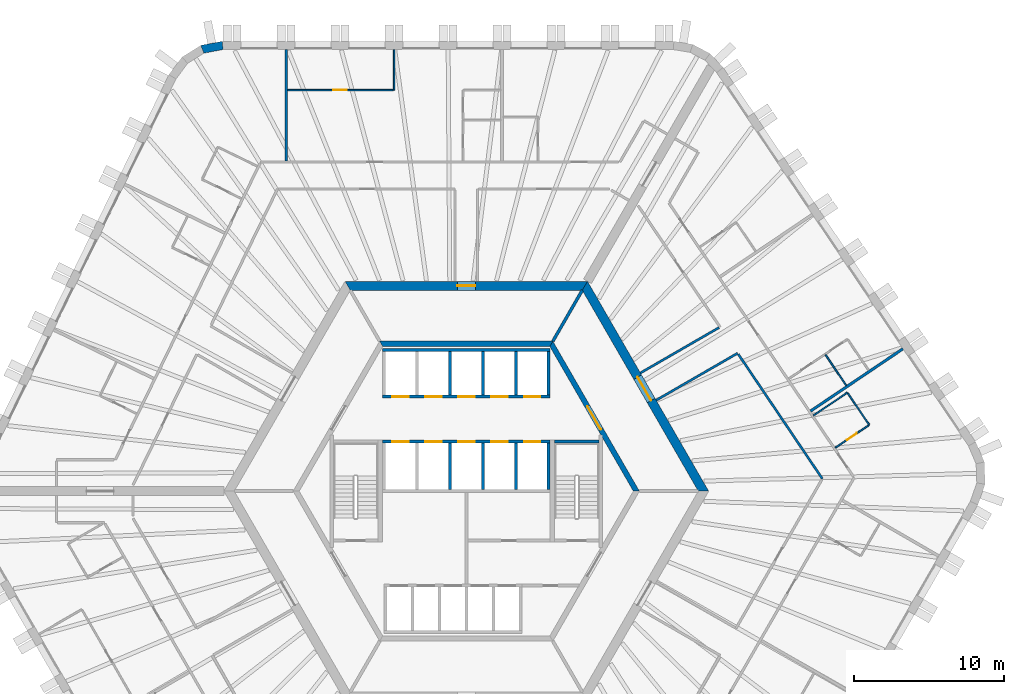
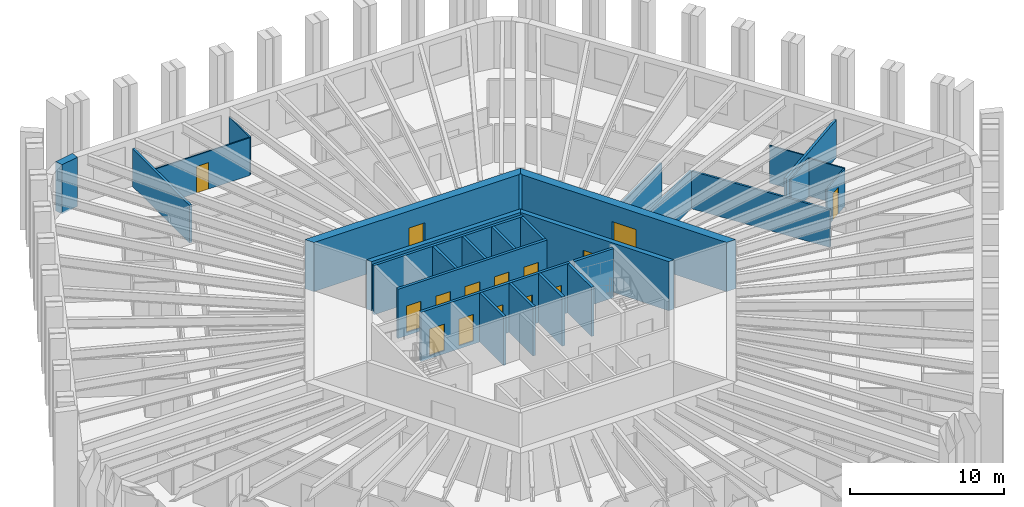
# One storey, part 8 of 12: 29 walls, 15 doors, 15 openings.
"""IFC4 building model written with IfcOpenShell, lengths in metres."""

from ifc_helpers import new_model, si_unit, direction, frame, frame_2d, origin, place, context, subcontext, project, spatial, polyline, rectangle, outline, extrude, material, layer, layer_set, type_object, element, fill, save


model = new_model("IFC4")

# Units and contexts
model_context = context("Model", 3, precision=1e-05, world=origin(), true_north=direction((0.0, 1.0)))
body_context = subcontext(model_context, "Body", "Model", "MODEL_VIEW")
ifc_project = project(units=[si_unit("LENGTHUNIT", "METRE"), si_unit("AREAUNIT", "SQUARE_METRE"), si_unit("VOLUMEUNIT", "CUBIC_METRE"), si_unit("PLANEANGLEUNIT", "RADIAN"), si_unit("MASSUNIT", "GRAM", prefix="KILO")], contexts=[model_context])

# Site, building, storey
site_placement = place(None, origin())
site = spatial("IfcSite", under=ifc_project, at=site_placement, CompositionType="ELEMENT")
building_placement = place(site_placement, origin())
building = spatial("IfcBuilding", under=site, at=building_placement, Name="Tarnside Tower", CompositionType="ELEMENT")
storey_placement = place(building_placement, frame((0.0, 0.0, 60.89990234375)))
storey = spatial("IfcBuildingStorey", under=building, at=storey_placement, Name="L12", CompositionType="ELEMENT", Elevation=60.89990234375)

# Walls
ifc_material_1 = material(Name="Gypsum board partition on steel studs", Category="steel")
ifc_layer_1 = layer(ifc_material_1, 0.10009765625)
ifc_layer_set_1 = layer_set([ifc_layer_1], Name="Bathroom wall 100")
wall_type_1 = type_object("IfcWallType", Name="Bathroom wall 100", PredefinedType="PARTITIONING", material=ifc_layer_set_1)
wall_1_placement = place(storey_placement, frame((23.15869140625, 5.052978515625, 0.0), z_axis=(0.0, 0.0, 1.0), x_axis=(0.829047014003, 0.559178905694, 0.0)))
element("IfcWall", 1, at=wall_1_placement, inside=storey, type_object=wall_type_1, Name="Bathroom wall 03138", PredefinedType="PARTITIONING", context=body_context, shape_type="SweptSolid", body=[
    extrude(rectangle(XDim=2.724853515625, YDim=0.10009765625, at=frame_2d((1.3623046875, 0.0))), origin(), (0.0, 0.0, 1.0), 2.98779296875),
])
wall_2_placement = place(storey_placement, frame((25.44580078125, 6.535400390625, 0.0), z_axis=(0.0, 0.0, 1.0), x_axis=(0.559176864802, -0.829048390548, 0.0)))
element("IfcWall", 2, at=wall_2_placement, inside=storey, type_object=wall_type_1, Name="Bathroom wall 03139", PredefinedType="PARTITIONING", context=body_context, shape_type="SweptSolid", body=[
    extrude(rectangle(XDim=2.55029296875, YDim=0.10009765625, at=frame_2d((1.275146484375, 0.0))), origin(), (0.0, 0.0, 1.0), 2.98779296875),
])

# Wall, opening, door
wall_3_placement = place(storey_placement, frame((26.830322265625, 4.393310546875, 0.0), z_axis=(0.0, 0.0, 1.0), x_axis=(-0.82904753069, -0.559178139645, 0.0)))
wall_3 = element("IfcWall", 3, at=wall_3_placement, inside=storey, type_object=wall_type_1, Name="Bathroom wall 03140", PredefinedType="PARTITIONING", context=body_context, shape_type="SweptSolid", body=[
    extrude(rectangle(XDim=2.675048828125, YDim=0.10009765625, at=frame_2d((1.33740234375, 0.0))), origin(), (0.0, 0.0, 1.0), 2.98779296875),
])
opening_1_placement = place(wall_3_placement, frame((0.949951171875, 0.0, 0.0)))
opening_1 = element("IfcOpeningElement", 4, at=opening_1_placement, cuts=wall_3, Name="Opening D-B1", PredefinedType="OPENING", context=body_context, shape_type="SweptSolid", body=[
    extrude(rectangle(XDim=0.800048828125, YDim=2.10009765625, at=frame_2d((0.39990234375, 1.050048828125))), frame((0.0, 0.06005859375, 0.0), z_axis=(0.0, -1.0, 0.0), x_axis=(1.0, 0.0, 0.0)), (0.0, 0.0, 1.0), 0.1201171875),
])
ifc_material_2 = material(Name="Timber door leaf", Category="wood")
door_type_1 = type_object("IfcDoorType", Name="Bathroom door 800", OperationType="NOTDEFINED", PredefinedType="DOOR", material=ifc_material_2)
door_1_placement = place(opening_1_placement, origin())
door_1 = element("IfcDoor", 5, at=door_1_placement, inside=storey, type_object=door_type_1, Name="Bathroom door 03033", OperationType="SINGLE_SWING_LEFT", OverallHeight=2.10009765625, OverallWidth=0.800048828125, PredefinedType="DOOR", context=body_context, shape_type="SweptSolid", body=[
    extrude(rectangle(XDim=0.800048828125, YDim=2.10009765625, at=frame_2d((0.39990234375, 1.050048828125))), frame((0.0, 0.02490234375, 0.0), z_axis=(0.0, -1.0, 0.0), x_axis=(1.0, 0.0, 0.0)), (0.0, 0.0, 1.0), 0.050048828125),
])
fill(opening_1, door_1)

# Wall
wall_4_placement = place(storey_placement, frame((25.337646484375, 7.053466796875, 0.0), z_axis=(0.0, 0.0, 1.0), x_axis=(-0.559249542518, 0.82899936622, 0.0)))
element("IfcWall", 6, at=wall_4_placement, inside=storey, type_object=wall_type_1, Name="Bathroom wall 03149", PredefinedType="PARTITIONING", context=body_context, shape_type="SweptSolid", body=[
    extrude(rectangle(XDim=2.4599609375, YDim=0.10009765625, at=frame_2d((1.22998046875, 0.0))), origin(), (0.0, 0.0, 1.0), 2.98779296875),
])

# Wall, opening, door
ifc_material_3 = material(Name="Concrete C50/60", Category="concrete")
ifc_layer_2 = layer(ifc_material_3, 0.35009765625)
ifc_layer_set_2 = layer_set([ifc_layer_2], Name="Core block wall 350 C50/60")
wall_type_2 = type_object("IfcWallType", Name="Core block wall 350 C50/60", PredefinedType="SHEAR", material=ifc_layer_set_2)
wall_5_placement = place(storey_placement, frame((11.344970703125, 0.0, -0.14990234375), z_axis=(0.0, 0.0, 1.0), x_axis=(-0.499995046907, 0.866028263435, 0.0)))
wall_5 = element("IfcWall", 7, at=wall_5_placement, inside=storey, type_object=wall_type_2, Name="L12 core block wall face 6", PredefinedType="SHEAR", context=body_context, shape_type="SweptSolid", body=[
    extrude(outline(polyline([(-0.10107421875, -0.175048828125), (11.44580078125, -0.175048828125), (11.24365234375, 0.175048828125), (0.10107421875, 0.175048828125), (-0.10107421875, -0.175048828125)])), origin(), (0.0, 0.0, 1.0), 3.89990234375),
])
opening_2_placement = place(wall_5_placement, frame((4.74365234375, 0.0, 0.14990234375)))
opening_2 = element("IfcOpeningElement", 8, at=opening_2_placement, cuts=wall_5, Name="Opening CD-LOB", PredefinedType="OPENING", context=body_context, shape_type="SweptSolid", body=[
    extrude(rectangle(XDim=1.800048828125, YDim=2.39990234375, at=frame_2d((0.89990234375, 1.199951171875))), frame((0.0, 0.18505859375, 0.0), z_axis=(0.0, -1.0, 0.0), x_axis=(1.0, 0.0, 0.0)), (0.0, 0.0, 1.0), 0.3701171875),
])
ifc_material_4 = material(Name="Steel fire door", Category="steel")
door_type_2 = type_object("IfcDoorType", Name="Lobby double door FD30S 1800x2400", OperationType="NOTDEFINED", PredefinedType="DOOR", material=ifc_material_4)
door_2_placement = place(opening_2_placement, origin())
door_2 = element("IfcDoor", 9, at=door_2_placement, inside=storey, type_object=door_type_2, Name="L12 lobby block door P2", OperationType="DOUBLE_DOOR_SINGLE_SWING", OverallHeight=2.39990234375, OverallWidth=1.800048828125, PredefinedType="DOOR", context=body_context, shape_type="SweptSolid", body=[
    extrude(rectangle(XDim=1.800048828125, YDim=2.39990234375, at=frame_2d((0.89990234375, 1.199951171875))), frame((0.0, 0.02490234375, 0.0), z_axis=(0.0, -1.0, 0.0), x_axis=(1.0, 0.0, 0.0)), (0.0, 0.0, 1.0), 0.050048828125),
])
fill(opening_2, door_2)

# Wall
wall_6_placement = place(storey_placement, frame((5.672607421875, 9.824951171875, -0.14990234375), z_axis=(0.0, 0.0, 1.0), x_axis=(-1.0, 0.0, 0.0)))
element("IfcWall", 10, at=wall_6_placement, inside=storey, type_object=wall_type_2, Name="L12 core block wall face 1", PredefinedType="SHEAR", context=body_context, shape_type="SweptSolid", body=[
    extrude(outline(polyline([(-0.10107421875, -0.175048828125), (11.4462890625, -0.175048828125), (11.244140625, 0.175048828125), (0.10107421875, 0.175048828125), (-0.10107421875, -0.175048828125)])), origin(), (0.0, 0.0, 1.0), 3.89990234375),
])

# Wall, opening, door
ifc_material_5 = material(Name="Concrete C80/95", Category="concrete")
ifc_layer_3 = layer(ifc_material_5, 0.60009765625)
ifc_layer_set_3 = layer_set([ifc_layer_3], Name="Core wall Z1 600 C80/95")
wall_type_3 = type_object("IfcWallType", Name="Core wall Z1 600 C80/95", PredefinedType="SHEAR", material=ifc_layer_set_3)
wall_7_placement = place(storey_placement, frame((15.8193359375, 0.0, -0.14990234375), z_axis=(0.0, 0.0, 1.0), x_axis=(-0.499999880136, 0.866025472988, 0.0)))
wall_7 = element("IfcWall", 11, at=wall_7_placement, inside=storey, type_object=wall_type_3, Name="L12 core wall face 6", PredefinedType="SHEAR", context=body_context, shape_type="SweptSolid", body=[
    extrude(outline(polyline([(-0.17333984375, -0.300048828125), (15.99267578125, -0.300048828125), (15.64599609375, 0.300048828125), (0.17333984375, 0.300048828125), (-0.17333984375, -0.300048828125)])), origin(), (0.0, 0.0, 1.0), 3.89990234375),
])
opening_3_placement = place(wall_7_placement, frame((6.980712890625, 0.0, 0.14990234375)))
opening_3 = element("IfcOpeningElement", 12, at=opening_3_placement, cuts=wall_7, Name="Opening CD-LOB", PredefinedType="OPENING", context=body_context, shape_type="SweptSolid", body=[
    extrude(rectangle(XDim=1.800048828125, YDim=2.39990234375, at=frame_2d((0.89990234375, 1.199951171875))), frame((0.0, 0.31005859375, 0.0), z_axis=(0.0, -1.0, 0.0), x_axis=(1.0, 0.0, 0.0)), (0.0, 0.0, 1.0), 0.6201171875),
])
door_3_placement = place(opening_3_placement, origin())
door_3 = element("IfcDoor", 13, at=door_3_placement, inside=storey, type_object=door_type_2, Name="L12 core door P2", OperationType="DOUBLE_DOOR_SINGLE_SWING", OverallHeight=2.39990234375, OverallWidth=1.800048828125, PredefinedType="DOOR", context=body_context, shape_type="SweptSolid", body=[
    extrude(rectangle(XDim=1.800048828125, YDim=2.39990234375, at=frame_2d((0.89990234375, 1.199951171875))), frame((0.0, 0.02490234375, 0.0), z_axis=(0.0, -1.0, 0.0), x_axis=(1.0, 0.0, 0.0)), (0.0, 0.0, 1.0), 0.050048828125),
])
fill(opening_3, door_3)

wall_8_placement = place(storey_placement, frame((7.90966796875, 13.699951171875, -0.14990234375), z_axis=(0.0, 0.0, 1.0), x_axis=(-1.0, 0.0, 0.0)))
wall_8 = element("IfcWall", 14, at=wall_8_placement, inside=storey, type_object=wall_type_3, Name="L12 core wall face 1", PredefinedType="SHEAR", context=body_context, shape_type="SweptSolid", body=[
    extrude(outline(polyline([(-0.17333984375, -0.300048828125), (15.99267578125, -0.300048828125), (15.64599609375, 0.300048828125), (0.17333984375, 0.300048828125), (-0.17333984375, -0.300048828125)])), origin(), (0.0, 0.0, 1.0), 3.89990234375),
])
opening_4_placement = place(wall_8_placement, frame((7.309814453125, 0.0, 0.14990234375)))
opening_4 = element("IfcOpeningElement", 15, at=opening_4_placement, cuts=wall_8, Name="Opening CD-RSR", PredefinedType="OPENING", context=body_context, shape_type="SweptSolid", body=[
    extrude(rectangle(XDim=1.199951171875, YDim=2.39990234375, at=frame_2d((0.60009765625, 1.199951171875))), frame((0.0, 0.31005859375, 0.0), z_axis=(0.0, -1.0, 0.0), x_axis=(1.0, 0.0, 0.0)), (0.0, 0.0, 1.0), 0.6201171875),
])
door_type_3 = type_object("IfcDoorType", Name="Riser door FD60 1200x2400", OperationType="NOTDEFINED", PredefinedType="DOOR", material=ifc_material_4)
door_4_placement = place(opening_4_placement, origin())
door_4 = element("IfcDoor", 16, at=door_4_placement, inside=storey, type_object=door_type_3, Name="L12 core door S5", OperationType="SINGLE_SWING_LEFT", OverallHeight=2.39990234375, OverallWidth=1.199951171875, PredefinedType="DOOR", context=body_context, shape_type="SweptSolid", body=[
    extrude(rectangle(XDim=1.199951171875, YDim=2.39990234375, at=frame_2d((0.60009765625, 1.199951171875))), frame((0.0, 0.02490234375, 0.0), z_axis=(0.0, -1.0, 0.0), x_axis=(1.0, 0.0, 0.0)), (0.0, 0.0, 1.0), 0.050048828125),
])
fill(opening_4, door_4)

# Walls
ifc_layer_4 = layer(ifc_material_1, 0.14990234375)
ifc_layer_set_4 = layer_set([ifc_layer_4], Name="Corridor wall 150 EI 60")
wall_type_4 = type_object("IfcWallType", Name="Corridor wall 150 EI 60", PredefinedType="PARTITIONING", material=ifc_layer_set_4)
wall_9_placement = place(storey_placement, frame((12.663818359375, 6.065673828125, 0.0), z_axis=(0.0, 0.0, 1.0), x_axis=(0.866036561919, 0.499980673046, 0.0)))
element("IfcWall", 17, at=wall_9_placement, inside=storey, type_object=wall_type_4, Name="Corridor wall 03063", PredefinedType="PARTITIONING", context=body_context, shape_type="SweptSolid", body=[
    extrude(rectangle(XDim=6.274658203125, YDim=0.14990234375, at=frame_2d((3.13720703125, 0.0))), origin(), (0.0, 0.0, 1.0), 2.98779296875),
])
wall_10_placement = place(storey_placement, frame((18.139892578125, 9.140625, 0.0), z_axis=(0.0, 0.0, 1.0), x_axis=(0.55918799196, -0.829040885389, 0.0)))
element("IfcWall", 18, at=wall_10_placement, inside=storey, type_object=wall_type_4, Name="Corridor wall 03064", PredefinedType="PARTITIONING", context=body_context, shape_type="SweptSolid", body=[
    extrude(rectangle(XDim=10.025146484375, YDim=0.14990234375, at=frame_2d((5.0126953125, 0.0))), origin(), (0.0, 0.0, 1.0), 2.98779296875),
])
wall_11_placement = place(storey_placement, frame((16.85546875, 10.91064453125, 0.0), z_axis=(0.0, 0.0, 1.0), x_axis=(-0.866020343444, -0.500008764664, 0.0)))
element("IfcWall", 19, at=wall_11_placement, inside=storey, type_object=wall_type_4, Name="Corridor wall 03071", PredefinedType="PARTITIONING", context=body_context, shape_type="SweptSolid", body=[
    extrude(rectangle(XDim=6.052734375, YDim=0.14990234375, at=frame_2d((3.0263671875, 0.0))), origin(), (0.0, 0.0, 1.0), 2.98779296875),
])
ifc_layer_5 = layer(ifc_material_1, 0.179931640625)
ifc_layer_set_5 = layer_set([ifc_layer_5], Name="Demising wall 180 EI 60")
wall_type_5 = type_object("IfcWallType", Name="Demising wall 180 EI 60", PredefinedType="PARTITIONING", material=ifc_layer_set_5)
wall_12_placement = place(storey_placement, frame((-12.010986328125, 29.449951171875, 0.0), z_axis=(0.0, 0.0, 1.0), x_axis=(0.0, -1.0, 0.0)))
element("IfcWall", 20, at=wall_12_placement, inside=storey, type_object=wall_type_5, Name="Demising wall 03083", PredefinedType="PARTITIONING", context=body_context, shape_type="SweptSolid", body=[
    extrude(rectangle(XDim=7.425048828125, YDim=0.179931640625, at=frame_2d((3.71240234375, 0.0))), origin(), (0.0, 0.0, 1.0), 2.98779296875),
])
wall_13_placement = place(storey_placement, frame((29.11865234375, 9.4951171875, 0.0), z_axis=(0.0, 0.0, 1.0), x_axis=(-0.829038452737, -0.559191598545, 0.0)))
element("IfcWall", 21, at=wall_13_placement, inside=storey, type_object=wall_type_5, Name="Demising wall 03141", PredefinedType="PARTITIONING", context=body_context, shape_type="SweptSolid", body=[
    extrude(rectangle(XDim=7.42529296875, YDim=0.179931640625, at=frame_2d((3.712646484375, 0.0))), origin(), (0.0, 0.0, 1.0), 2.98779296875),
])

# Wall, openings, doors
ifc_material_6 = material(Name="Concrete C40/50", Category="concrete")
ifc_layer_6 = layer(ifc_material_6, 0.199951171875)
ifc_layer_set_6 = layer_set([ifc_layer_6], Name="Lift shaft wall 200 C40/50")
wall_type_6 = type_object("IfcWallType", Name="Lift shaft wall 200 C40/50", PredefinedType="SHEAR", material=ifc_layer_set_6)
wall_14_placement = place(storey_placement, frame((-5.60009765625, 6.300048828125, -0.25), z_axis=(0.0, 0.0, 1.0), x_axis=(1.0, 0.0, 0.0)))
wall_14 = element("IfcWall", 22, at=wall_14_placement, inside=storey, type_object=wall_type_6, Name="L12 lift shaft front wall R1", PredefinedType="SHEAR", context=body_context, shape_type="SweptSolid", body=[
    extrude(rectangle(XDim=11.2001953125, YDim=0.199951171875, at=frame_2d((5.60009765625, 0.0))), origin(), (0.0, 0.0, 1.0), 3.900146484375),
])
opening_5_placement = place(wall_14_placement, frame((0.64990234375, 0.0, 0.25)))
opening_5 = element("IfcOpeningElement", 23, at=opening_5_placement, cuts=wall_14, Name="Opening LD", PredefinedType="OPENING", context=body_context, shape_type="SweptSolid", body=[
    extrude(rectangle(XDim=1.10009765625, YDim=2.10009765625, at=frame_2d((0.550048828125, 1.050048828125))), frame((0.0, 0.10986328125, 0.0), z_axis=(0.0, -1.0, 0.0), x_axis=(1.0, 0.0, 0.0)), (0.0, 0.0, 1.0), 0.219970703125),
])
opening_6_placement = place(wall_14_placement, frame((2.85009765625, 0.0, 0.25)))
opening_6 = element("IfcOpeningElement", 24, at=opening_6_placement, cuts=wall_14, Name="Opening LD", PredefinedType="OPENING", context=body_context, shape_type="SweptSolid", body=[
    extrude(rectangle(XDim=1.10009765625, YDim=2.10009765625, at=frame_2d((0.550048828125, 1.050048828125))), frame((0.0, 0.10986328125, 0.0), z_axis=(0.0, -1.0, 0.0), x_axis=(1.0, 0.0, 0.0)), (0.0, 0.0, 1.0), 0.219970703125),
])
opening_7_placement = place(wall_14_placement, frame((5.050048828125, 0.0, 0.25)))
opening_7 = element("IfcOpeningElement", 25, at=opening_7_placement, cuts=wall_14, Name="Opening LD", PredefinedType="OPENING", context=body_context, shape_type="SweptSolid", body=[
    extrude(rectangle(XDim=1.10009765625, YDim=2.10009765625, at=frame_2d((0.550048828125, 1.050048828125))), frame((0.0, 0.10986328125, 0.0), z_axis=(0.0, -1.0, 0.0), x_axis=(1.0, 0.0, 0.0)), (0.0, 0.0, 1.0), 0.219970703125),
])
opening_8_placement = place(wall_14_placement, frame((7.25, 0.0, 0.25)))
opening_8 = element("IfcOpeningElement", 26, at=opening_8_placement, cuts=wall_14, Name="Opening LD", PredefinedType="OPENING", context=body_context, shape_type="SweptSolid", body=[
    extrude(rectangle(XDim=1.10009765625, YDim=2.10009765625, at=frame_2d((0.550048828125, 1.050048828125))), frame((0.0, 0.10986328125, 0.0), z_axis=(0.0, -1.0, 0.0), x_axis=(1.0, 0.0, 0.0)), (0.0, 0.0, 1.0), 0.219970703125),
])
opening_9_placement = place(wall_14_placement, frame((9.449951171875, 0.0, 0.25)))
opening_9 = element("IfcOpeningElement", 27, at=opening_9_placement, cuts=wall_14, Name="Opening LD", PredefinedType="OPENING", context=body_context, shape_type="SweptSolid", body=[
    extrude(rectangle(XDim=1.10009765625, YDim=2.10009765625, at=frame_2d((0.550048828125, 1.050048828125))), frame((0.0, 0.10986328125, 0.0), z_axis=(0.0, -1.0, 0.0), x_axis=(1.0, 0.0, 0.0)), (0.0, 0.0, 1.0), 0.219970703125),
])
ifc_material_7 = material(Name="Stainless steel", Category="steel")
door_type_4 = type_object("IfcDoorType", Name="Lift landing door 1100x2100", OperationType="NOTDEFINED", PredefinedType="DOOR", material=ifc_material_7)
door_5_placement = place(opening_5_placement, origin())
door_5 = element("IfcDoor", 28, at=door_5_placement, inside=storey, type_object=door_type_4, Name="Low-rise lift 1 landing door L12", OperationType="SLIDING_TO_LEFT", OverallHeight=2.10009765625, OverallWidth=1.10009765625, PredefinedType="DOOR", context=body_context, shape_type="SweptSolid", body=[
    extrude(rectangle(XDim=1.10009765625, YDim=2.10009765625, at=frame_2d((0.550048828125, 1.050048828125))), frame((0.0, 0.02490234375, 0.0), z_axis=(0.0, -1.0, 0.0), x_axis=(1.0, 0.0, 0.0)), (0.0, 0.0, 1.0), 0.050048828125),
])
fill(opening_5, door_5)
door_6_placement = place(opening_6_placement, origin())
door_6 = element("IfcDoor", 29, at=door_6_placement, inside=storey, type_object=door_type_4, Name="Low-rise lift 2 landing door L12", OperationType="SLIDING_TO_LEFT", OverallHeight=2.10009765625, OverallWidth=1.10009765625, PredefinedType="DOOR", context=body_context, shape_type="SweptSolid", body=[
    extrude(rectangle(XDim=1.10009765625, YDim=2.10009765625, at=frame_2d((0.550048828125, 1.050048828125))), frame((0.0, 0.02490234375, 0.0), z_axis=(0.0, -1.0, 0.0), x_axis=(1.0, 0.0, 0.0)), (0.0, 0.0, 1.0), 0.050048828125),
])
fill(opening_6, door_6)
door_7_placement = place(opening_7_placement, origin())
door_7 = element("IfcDoor", 30, at=door_7_placement, inside=storey, type_object=door_type_4, Name="Low-rise lift 3 landing door L12", OperationType="SLIDING_TO_LEFT", OverallHeight=2.10009765625, OverallWidth=1.10009765625, PredefinedType="DOOR", context=body_context, shape_type="SweptSolid", body=[
    extrude(rectangle(XDim=1.10009765625, YDim=2.10009765625, at=frame_2d((0.550048828125, 1.050048828125))), frame((0.0, 0.02490234375, 0.0), z_axis=(0.0, -1.0, 0.0), x_axis=(1.0, 0.0, 0.0)), (0.0, 0.0, 1.0), 0.050048828125),
])
fill(opening_7, door_7)
door_8_placement = place(opening_8_placement, origin())
door_8 = element("IfcDoor", 31, at=door_8_placement, inside=storey, type_object=door_type_4, Name="Low sky-lobby shuttle 1 landing door L12", OperationType="SLIDING_TO_LEFT", OverallHeight=2.10009765625, OverallWidth=1.10009765625, PredefinedType="DOOR", context=body_context, shape_type="SweptSolid", body=[
    extrude(rectangle(XDim=1.10009765625, YDim=2.10009765625, at=frame_2d((0.550048828125, 1.050048828125))), frame((0.0, 0.02490234375, 0.0), z_axis=(0.0, -1.0, 0.0), x_axis=(1.0, 0.0, 0.0)), (0.0, 0.0, 1.0), 0.050048828125),
])
fill(opening_8, door_8)
door_9_placement = place(opening_9_placement, origin())
door_9 = element("IfcDoor", 32, at=door_9_placement, inside=storey, type_object=door_type_4, Name="Low sky-lobby shuttle 2 landing door L12", OperationType="SLIDING_TO_LEFT", OverallHeight=2.10009765625, OverallWidth=1.10009765625, PredefinedType="DOOR", context=body_context, shape_type="SweptSolid", body=[
    extrude(rectangle(XDim=1.10009765625, YDim=2.10009765625, at=frame_2d((0.550048828125, 1.050048828125))), frame((0.0, 0.02490234375, 0.0), z_axis=(0.0, -1.0, 0.0), x_axis=(1.0, 0.0, 0.0)), (0.0, 0.0, 1.0), 0.050048828125),
])
fill(opening_9, door_9)

# Walls
wall_15_placement = place(storey_placement, frame((-5.60009765625, 9.39990234375, -0.25), z_axis=(0.0, 0.0, 1.0), x_axis=(1.0, 0.0, 0.0)))
element("IfcWall", 33, at=wall_15_placement, inside=storey, type_object=wall_type_6, Name="L12 lift shaft back wall R1", PredefinedType="SHEAR", context=body_context, shape_type="SweptSolid", body=[
    extrude(rectangle(XDim=11.2001953125, YDim=0.199951171875, at=frame_2d((5.60009765625, 0.0))), origin(), (0.0, 0.0, 1.0), 3.900146484375),
])
for number, where, z_axis, x_axis, name in (
    (34, (-1.10009765625, 6.39990234375, -0.25), (0.0, 0.0, 1.0), (0.0, 1.0, 0.0), "L12 lift shaft partition R13"),
    (35, (1.10009765625, 6.39990234375, -0.25), (0.0, 0.0, 1.0), (0.0, 1.0, 0.0), "L12 lift shaft partition R14"),
    (36, (3.300048828125, 6.39990234375, -0.25), (0.0, 0.0, 1.0), (0.0, 1.0, 0.0), "L12 lift shaft partition R15"),
    (37, (5.5, 6.39990234375, -0.25), (0.0, 0.0, 1.0), (0.0, 1.0, 0.0), "L12 lift shaft partition R16"),
):
    element("IfcWall", number, at=place(storey_placement, frame(where, z_axis=z_axis, x_axis=x_axis)), inside=storey, type_object=wall_type_6, Name=name, PredefinedType="SHEAR", context=body_context, shape_type="SweptSolid", body=[
        extrude(rectangle(XDim=2.900146484375, YDim=0.199951171875, at=frame_2d((1.4501953125, 0.0))), origin(), (0.0, 0.0, 1.0), 3.900146484375),
    ])

# Wall, openings, doors
wall_16_placement = place(storey_placement, frame((-5.60009765625, 3.300048828125, -0.25), z_axis=(0.0, 0.0, 1.0), x_axis=(1.0, 0.0, 0.0)))
wall_16 = element("IfcWall", 38, at=wall_16_placement, inside=storey, type_object=wall_type_6, Name="L12 lift shaft front wall R2", PredefinedType="SHEAR", context=body_context, shape_type="SweptSolid", body=[
    extrude(rectangle(XDim=11.2001953125, YDim=0.199951171875, at=frame_2d((5.60009765625, 0.0))), origin(), (0.0, 0.0, 1.0), 3.900146484375),
])
opening_10_placement = place(wall_16_placement, frame((0.64990234375, 0.0, 0.25)))
opening_10 = element("IfcOpeningElement", 39, at=opening_10_placement, cuts=wall_16, Name="Opening LD", PredefinedType="OPENING", context=body_context, shape_type="SweptSolid", body=[
    extrude(rectangle(XDim=1.10009765625, YDim=2.10009765625, at=frame_2d((0.550048828125, 1.050048828125))), frame((0.0, 0.10986328125, 0.0), z_axis=(0.0, -1.0, 0.0), x_axis=(1.0, 0.0, 0.0)), (0.0, 0.0, 1.0), 0.219970703125),
])
opening_11_placement = place(wall_16_placement, frame((2.85009765625, 0.0, 0.25)))
opening_11 = element("IfcOpeningElement", 40, at=opening_11_placement, cuts=wall_16, Name="Opening LD", PredefinedType="OPENING", context=body_context, shape_type="SweptSolid", body=[
    extrude(rectangle(XDim=1.10009765625, YDim=2.10009765625, at=frame_2d((0.550048828125, 1.050048828125))), frame((0.0, 0.10986328125, 0.0), z_axis=(0.0, -1.0, 0.0), x_axis=(1.0, 0.0, 0.0)), (0.0, 0.0, 1.0), 0.219970703125),
])
opening_12_placement = place(wall_16_placement, frame((5.050048828125, 0.0, 0.25)))
opening_12 = element("IfcOpeningElement", 41, at=opening_12_placement, cuts=wall_16, Name="Opening LD", PredefinedType="OPENING", context=body_context, shape_type="SweptSolid", body=[
    extrude(rectangle(XDim=1.10009765625, YDim=2.10009765625, at=frame_2d((0.550048828125, 1.050048828125))), frame((0.0, 0.10986328125, 0.0), z_axis=(0.0, -1.0, 0.0), x_axis=(1.0, 0.0, 0.0)), (0.0, 0.0, 1.0), 0.219970703125),
])
opening_13_placement = place(wall_16_placement, frame((7.25, 0.0, 0.25)))
opening_13 = element("IfcOpeningElement", 42, at=opening_13_placement, cuts=wall_16, Name="Opening LD", PredefinedType="OPENING", context=body_context, shape_type="SweptSolid", body=[
    extrude(rectangle(XDim=1.10009765625, YDim=2.10009765625, at=frame_2d((0.550048828125, 1.050048828125))), frame((0.0, 0.10986328125, 0.0), z_axis=(0.0, -1.0, 0.0), x_axis=(1.0, 0.0, 0.0)), (0.0, 0.0, 1.0), 0.219970703125),
])
opening_14_placement = place(wall_16_placement, frame((9.449951171875, 0.0, 0.25)))
opening_14 = element("IfcOpeningElement", 43, at=opening_14_placement, cuts=wall_16, Name="Opening LD", PredefinedType="OPENING", context=body_context, shape_type="SweptSolid", body=[
    extrude(rectangle(XDim=1.10009765625, YDim=2.10009765625, at=frame_2d((0.550048828125, 1.050048828125))), frame((0.0, 0.10986328125, 0.0), z_axis=(0.0, -1.0, 0.0), x_axis=(1.0, 0.0, 0.0)), (0.0, 0.0, 1.0), 0.219970703125),
])
door_10_placement = place(opening_10_placement, origin())
door_10 = element("IfcDoor", 44, at=door_10_placement, inside=storey, type_object=door_type_4, Name="Low-rise lift 4 landing door L12", OperationType="SLIDING_TO_LEFT", OverallHeight=2.10009765625, OverallWidth=1.10009765625, PredefinedType="DOOR", context=body_context, shape_type="SweptSolid", body=[
    extrude(rectangle(XDim=1.10009765625, YDim=2.10009765625, at=frame_2d((0.550048828125, 1.050048828125))), frame((0.0, 0.02490234375, 0.0), z_axis=(0.0, -1.0, 0.0), x_axis=(1.0, 0.0, 0.0)), (0.0, 0.0, 1.0), 0.050048828125),
])
fill(opening_10, door_10)
door_11_placement = place(opening_11_placement, origin())
door_11 = element("IfcDoor", 45, at=door_11_placement, inside=storey, type_object=door_type_4, Name="Low-rise lift 5 landing door L12", OperationType="SLIDING_TO_LEFT", OverallHeight=2.10009765625, OverallWidth=1.10009765625, PredefinedType="DOOR", context=body_context, shape_type="SweptSolid", body=[
    extrude(rectangle(XDim=1.10009765625, YDim=2.10009765625, at=frame_2d((0.550048828125, 1.050048828125))), frame((0.0, 0.02490234375, 0.0), z_axis=(0.0, -1.0, 0.0), x_axis=(1.0, 0.0, 0.0)), (0.0, 0.0, 1.0), 0.050048828125),
])
fill(opening_11, door_11)
door_12_placement = place(opening_12_placement, origin())
door_12 = element("IfcDoor", 46, at=door_12_placement, inside=storey, type_object=door_type_4, Name="Low-rise lift 6 landing door L12", OperationType="SLIDING_TO_LEFT", OverallHeight=2.10009765625, OverallWidth=1.10009765625, PredefinedType="DOOR", context=body_context, shape_type="SweptSolid", body=[
    extrude(rectangle(XDim=1.10009765625, YDim=2.10009765625, at=frame_2d((0.550048828125, 1.050048828125))), frame((0.0, 0.02490234375, 0.0), z_axis=(0.0, -1.0, 0.0), x_axis=(1.0, 0.0, 0.0)), (0.0, 0.0, 1.0), 0.050048828125),
])
fill(opening_12, door_12)
door_13_placement = place(opening_13_placement, origin())
door_13 = element("IfcDoor", 47, at=door_13_placement, inside=storey, type_object=door_type_4, Name="High sky-lobby shuttle 1 landing door L12", OperationType="SLIDING_TO_LEFT", OverallHeight=2.10009765625, OverallWidth=1.10009765625, PredefinedType="DOOR", context=body_context, shape_type="SweptSolid", body=[
    extrude(rectangle(XDim=1.10009765625, YDim=2.10009765625, at=frame_2d((0.550048828125, 1.050048828125))), frame((0.0, 0.02490234375, 0.0), z_axis=(0.0, -1.0, 0.0), x_axis=(1.0, 0.0, 0.0)), (0.0, 0.0, 1.0), 0.050048828125),
])
fill(opening_13, door_13)
door_14_placement = place(opening_14_placement, origin())
door_14 = element("IfcDoor", 48, at=door_14_placement, inside=storey, type_object=door_type_4, Name="Express sky-lobby shuttle 2 landing door L12", OperationType="SLIDING_TO_LEFT", OverallHeight=2.10009765625, OverallWidth=1.10009765625, PredefinedType="DOOR", context=body_context, shape_type="SweptSolid", body=[
    extrude(rectangle(XDim=1.10009765625, YDim=2.10009765625, at=frame_2d((0.550048828125, 1.050048828125))), frame((0.0, 0.02490234375, 0.0), z_axis=(0.0, -1.0, 0.0), x_axis=(1.0, 0.0, 0.0)), (0.0, 0.0, 1.0), 0.050048828125),
])
fill(opening_14, door_14)

# Walls
for number, where, z_axis, x_axis, name in (
    (49, (-1.10009765625, 0.10009765625, -0.25), (0.0, 0.0, 1.0), (0.0, 1.0, 0.0), "L12 lift shaft partition R23"),
    (50, (1.10009765625, 0.10009765625, -0.25), (0.0, 0.0, 1.0), (0.0, 1.0, 0.0), "L12 lift shaft partition R24"),
    (51, (3.300048828125, 0.10009765625, -0.25), (0.0, 0.0, 1.0), (0.0, 1.0, 0.0), "L12 lift shaft partition R25"),
    (52, (5.5, 0.10009765625, -0.25), (0.0, 0.0, 1.0), (0.0, 1.0, 0.0), "L12 lift shaft partition R26"),
):
    element("IfcWall", number, at=place(storey_placement, frame(where, z_axis=z_axis, x_axis=x_axis)), inside=storey, type_object=wall_type_6, Name=name, PredefinedType="SHEAR", context=body_context, shape_type="SweptSolid", body=[
        extrude(rectangle(XDim=3.099853515625, YDim=0.199951171875, at=frame_2d((1.5498046875, 0.0))), origin(), (0.0, 0.0, 1.0), 3.900146484375),
    ])
wall_17_placement = place(storey_placement, frame((5.7734375, 10.0, -0.14990234375), z_axis=(0.0, 0.0, 1.0), x_axis=(0.500038251005, 0.86600331843, 0.0)))
element("IfcWall", 53, at=wall_17_placement, inside=storey, type_object=wall_type_6, Name="L12 core partition AR60", PredefinedType="SHEAR", context=body_context, shape_type="SweptSolid", body=[
    extrude(rectangle(XDim=3.926025390625, YDim=0.199951171875, at=frame_2d((1.962890625, 0.0))), origin(), (0.0, 0.0, 1.0), 3.89990234375),
])
wall_18_placement = place(storey_placement, frame((5.89990234375, 3.300048828125, -0.25), z_axis=(0.0, 0.0, 1.0), x_axis=(1.0, 0.0, 0.0)))
element("IfcWall", 54, at=wall_18_placement, inside=storey, type_object=wall_type_6, Name="L12 stair 1 enclosure cap wall n", PredefinedType="SHEAR", context=body_context, shape_type="SweptSolid", body=[
    extrude(rectangle(XDim=2.9501953125, YDim=0.199951171875, at=frame_2d((1.47509765625, 0.0))), origin(), (0.0, 0.0, 1.0), 3.900146484375),
])
ifc_layer_7 = layer(ifc_material_1, 0.10009765625)
ifc_layer_set_7 = layer_set([ifc_layer_7], Name="Partition 100")
wall_type_7 = type_object("IfcWallType", Name="Partition 100", PredefinedType="PARTITIONING", material=ifc_layer_set_7)
wall_19_placement = place(storey_placement, frame((-4.81103515625, 29.449951171875, 0.0), z_axis=(0.0, 0.0, 1.0), x_axis=(0.0, -1.0, 0.0)))
element("IfcWall", 55, at=wall_19_placement, inside=storey, type_object=wall_type_7, Name="Partition wall 03081", PredefinedType="PARTITIONING", context=body_context, shape_type="SweptSolid", body=[
    extrude(rectangle(XDim=2.699951171875, YDim=0.10009765625, at=frame_2d((1.35009765625, 0.0))), origin(), (0.0, 0.0, 1.0), 2.98779296875),
])

# Wall, opening, door
wall_20_placement = place(storey_placement, frame((-4.861083984375, 26.75, 0.0), z_axis=(0.0, 0.0, 1.0), x_axis=(-1.0, 0.0, 0.0)))
wall_20 = element("IfcWall", 56, at=wall_20_placement, inside=storey, type_object=wall_type_7, Name="Partition wall 03082", PredefinedType="PARTITIONING", context=body_context, shape_type="SweptSolid", body=[
    extrude(rectangle(XDim=7.06005859375, YDim=0.10009765625, at=frame_2d((3.530029296875, 0.0))), origin(), (0.0, 0.0, 1.0), 2.98779296875),
])
opening_15_placement = place(wall_20_placement, frame((3.10009765625, 0.0, 0.0)))
opening_15 = element("IfcOpeningElement", 57, at=opening_15_placement, cuts=wall_20, Name="Opening D-I1", PredefinedType="OPENING", context=body_context, shape_type="SweptSolid", body=[
    extrude(rectangle(XDim=0.89990234375, YDim=2.10009765625, at=frame_2d((0.449951171875, 1.050048828125))), frame((0.0, 0.06005859375, 0.0), z_axis=(0.0, -1.0, 0.0), x_axis=(1.0, 0.0, 0.0)), (0.0, 0.0, 1.0), 0.1201171875),
])
door_type_5 = type_object("IfcDoorType", Name="Internal door 900", OperationType="NOTDEFINED", PredefinedType="DOOR", material=ifc_material_2)
door_15_placement = place(opening_15_placement, origin())
door_15 = element("IfcDoor", 58, at=door_15_placement, inside=storey, type_object=door_type_5, Name="Internal door 03006", OperationType="SINGLE_SWING_LEFT", OverallHeight=2.10009765625, OverallWidth=0.89990234375, PredefinedType="DOOR", context=body_context, shape_type="SweptSolid", body=[
    extrude(rectangle(XDim=0.89990234375, YDim=2.10009765625, at=frame_2d((0.449951171875, 1.050048828125))), frame((0.0, 0.02490234375, 0.0), z_axis=(0.0, -1.0, 0.0), x_axis=(1.0, 0.0, 0.0)), (0.0, 0.0, 1.0), 0.050048828125),
])
fill(opening_15, door_15)

# Wall
ifc_material_8 = material(Name="Facing brick", Category="masonry")
ifc_layer_8 = layer(ifc_material_8, 0.10205078125)
ifc_material_9 = material(Name="Concrete C60/75 precast", Category="concrete")
ifc_layer_9 = layer(ifc_material_9, 0.347900390625)
ifc_material_10 = material(Name="Mineral wool insulation")
ifc_layer_10 = layer(ifc_material_10, 0.10009765625)
ifc_layer_set_8 = layer_set([ifc_layer_8, ifc_layer_9, ifc_layer_10], Name="Tube wall 550 brick faced")
wall_type_8 = type_object("IfcWallType", Name="Tube wall 550 brick faced", PredefinedType="SOLIDWALL", material=ifc_layer_set_8)
wall_21_placement = place(storey_placement, frame((-16.24658203125, 29.72509765625, -0.14990234375), z_axis=(0.0, 0.0, 1.0), x_axis=(-0.982705443133, -0.185175624845, 0.0)))
element("IfcWall", 59, at=wall_21_placement, inside=storey, type_object=wall_type_8, Name="Tube wall L12 F1 chord 01", PredefinedType="SOLIDWALL", context=body_context, shape_type="SweptSolid", body=[
    extrude(outline(polyline([(-0.025634765625, -0.27490234375), (1.430908203125, -0.27490234375), (1.327392578125, 0.27490234375), (0.025634765625, 0.27490234375), (-0.025634765625, -0.27490234375)])), origin(), (0.0, 0.0, 1.0), 3.89990234375),
])

save(model, "model.ifc")
